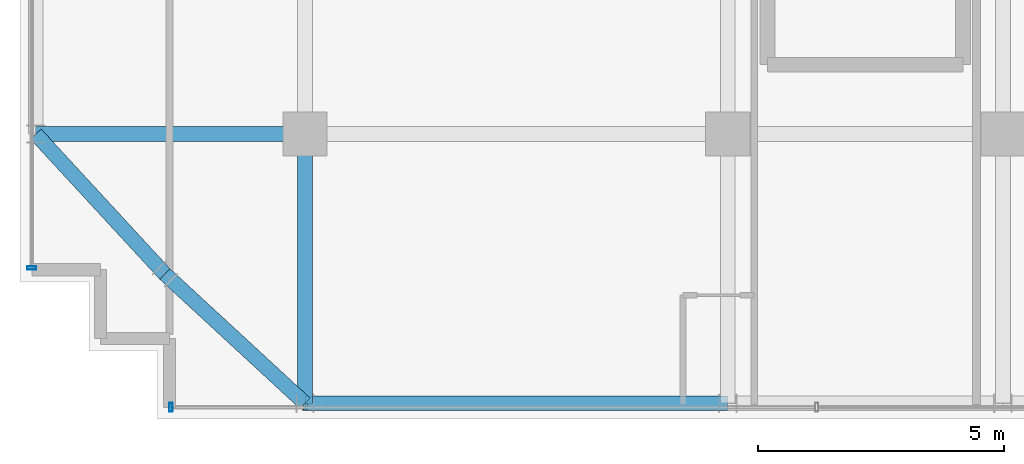
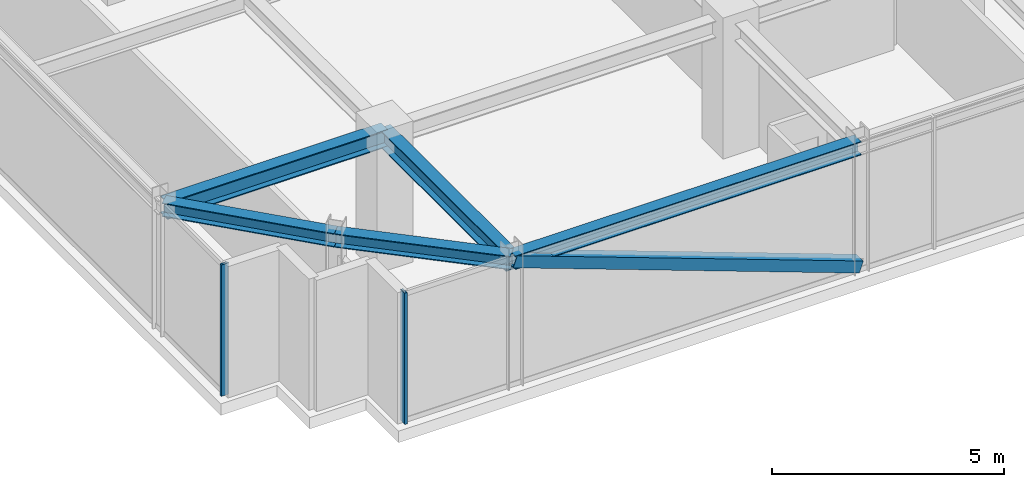
# One storey, part 4 of 31: 5 beams, 3 members, 2 elements without a shape of their own.
"""IFC4 building model written with IfcOpenShell, lengths in metres."""

from ifc_helpers import new_model, si_unit, direction, frame, origin, origin_2d, place, context, subcontext, project, spatial, hollow_rectangle, i_section, extrude, source, transform, mapped, material, material_profile, profile_set, type_object, element, aggregate, save


model = new_model("IFC4")

# Units and contexts
model_context = context("Model", 3, precision=1e-05, world=origin(), true_north=direction((0.0, 1.0)))
body_context = subcontext(model_context, "Body", "Model", "MODEL_VIEW")
ifc_project = project(units=[si_unit("LENGTHUNIT", "METRE"), si_unit("AREAUNIT", "SQUARE_METRE"), si_unit("VOLUMEUNIT", "CUBIC_METRE"), si_unit("PLANEANGLEUNIT", "RADIAN"), si_unit("MASSUNIT", "GRAM", prefix="KILO")], contexts=[model_context])

# Site, building, storey
site_placement = place(None, origin())
site = spatial("IfcSite", under=ifc_project, at=site_placement, CompositionType="ELEMENT")
building_placement = place(site_placement, origin())
building = spatial("IfcBuilding", under=site, at=building_placement, Name="Nahalor Promenade Grand Hotel", CompositionType="ELEMENT")
storey_placement = place(building_placement, frame((0.0, 0.0, 281.300048828125)))
storey = spatial("IfcBuildingStorey", under=building, at=storey_placement, Name="L72", CompositionType="ELEMENT", Elevation=281.300048828125)

# Beams
ifc_material_1 = material(Name="Steel S355JR", Category="steel")
ifc_material_profile_1 = material_profile(ifc_material_1, i_section(OverallWidth=0.3, OverallDepth=0.45, WebThickness=0.014, FlangeThickness=0.026, at=origin_2d()), Name="HEB 450")
ifc_profile_set_1 = profile_set([ifc_material_profile_1], Name="Steel S355JR")
beam_type_1 = type_object("IfcBeamType", Name="Beam-Girder-HEB450", PredefinedType="BEAM", material=ifc_profile_set_1)
shared_shape_1 = source(origin(), body_context, "Body", "SweptSolid", [
    extrude(i_section(OverallWidth=0.3, OverallDepth=0.45, WebThickness=0.014, FlangeThickness=0.026, at=origin_2d()), origin(), (0.0, 0.0, 1.0), 5.47998046875),
])
for number, where, z_axis, x_axis, name in (
    (1, (-22.47998046875, -17.0, 3.224853515625), (1.0, 0.0, 0.0), (0.0, 1.0, 0.0), "BM-L72-GX-0-0"),
    (2, (-17.0, -22.47998046875, 3.224853515625), (0.0, 1.0, 0.0), (-1.0, 0.0, 0.0), "BM-L72-GY-0-0"),
):
    element("IfcBeam", number, at=place(storey_placement, frame(where, z_axis=z_axis, x_axis=x_axis)), inside=storey, type_object=beam_type_1, Name=name, PredefinedType="BEAM", context=body_context, shape_type="MappedRepresentation", body=[
        mapped(shared_shape_1, transform((0.0, 0.0, 0.0), scale=1.0)),
    ])
ifc_material_profile_2 = material_profile(ifc_material_1, i_section(OverallWidth=0.3, OverallDepth=0.36, WebThickness=0.0125, FlangeThickness=0.0225, at=origin_2d()), Name="HEB 360")
ifc_profile_set_2 = profile_set([ifc_material_profile_2], Name="Steel S355JR")
beam_type_2 = type_object("IfcBeamType", Name="Beam-Spandrel-HEB360", PredefinedType="SPANDREL", material=ifc_profile_set_2)
shared_shape_2 = source(origin(), body_context, "Body", "SweptSolid", [
    extrude(i_section(OverallWidth=0.3, OverallDepth=0.36, WebThickness=0.0125, FlangeThickness=0.0225, at=origin_2d()), origin(), (0.0, 0.0, 1.0), 8.60009765625),
])
beam_placement = place(storey_placement, frame((-17.0, -22.47998046875, 3.27001953125), z_axis=(1.0, 0.0, 0.0), x_axis=(0.0, 1.0, 0.0)))
element("IfcBeam", 3, at=beam_placement, inside=storey, type_object=beam_type_2, Name="BM-L72-SP-S-0", PredefinedType="SPANDREL", context=body_context, shape_type="MappedRepresentation", body=[
    mapped(shared_shape_2, transform((0.0, 0.0, 0.0), scale=1.0)),
])
shared_shape_3 = source(origin(), body_context, "Body", "SweptSolid", [
    extrude(i_section(OverallWidth=0.3, OverallDepth=0.36, WebThickness=0.0125, FlangeThickness=0.0225, at=origin_2d()), origin(), (0.0, 0.0, 1.0), 3.878173828125),
])
for number, where, z_axis, x_axis, name in (
    (4, (-17.0, -22.47998046875, 3.27001953125), (-0.73492893846, 0.678144125843, 0.0), (-0.678144125843, -0.73492893846, 0.0), "BM-L72-SPC-SW-1"),
    (5, (-19.85009765625, -19.85009765625, 3.27001953125), (-0.678144125843, 0.73492893846, 0.0), (-0.73492893846, -0.678144125843, 0.0), "BM-L72-SPC-SW-2"),
):
    element("IfcBeam", number, at=place(storey_placement, frame(where, z_axis=z_axis, x_axis=x_axis)), inside=storey, type_object=beam_type_2, Name=name, PredefinedType="SPANDREL", context=body_context, shape_type="MappedRepresentation", body=[
        mapped(shared_shape_3, transform((0.0, 0.0, 0.0), scale=1.0)),
    ])

# Member
ifc_material_profile_3 = material_profile(ifc_material_1, hollow_rectangle(XDim=0.3, YDim=0.3, WallThickness=0.016, at=origin_2d()), Name="SHS 300x300x16")
ifc_profile_set_3 = profile_set([ifc_material_profile_3], Name="Steel S355JR")
member_type_1 = type_object("IfcMemberType", Name="Mem-CrownBrace-SHS300", PredefinedType="BRACE", material=ifc_profile_set_3)
shared_shape_4 = source(origin(), body_context, "Body", "SweptSolid", [
    extrude(hollow_rectangle(XDim=0.3, YDim=0.3, WallThickness=0.016, at=origin_2d()), origin(), (0.0, 0.0, 1.0), 9.158935546875),
])
member_1_placement = place(storey_placement, frame((-8.39990234375, -22.47998046875, 0.14990234375), z_axis=(-0.938989990654, 0.0, 0.343944468558), x_axis=(0.0, -1.0, 0.0)))
element("IfcMember", 6, at=member_1_placement, inside=storey, type_object=member_type_1, Name="EXO-L72-S-0", PredefinedType="BRACE", context=body_context, shape_type="MappedRepresentation", body=[
    mapped(shared_shape_4, transform((0.0, 0.0, 0.0), scale=1.0)),
])

# Curtain wall, member
ifc_material_2 = material(Name="Anodised Bronze Aluminium EN AW-6063 T6", Category="aluminium")
curtain_wall_type = type_object("IfcCurtainWallType", Name="CW2 Typical Hotel Flush Bronze Unitised Curtain Wall", PredefinedType="USERDEFINED", material=ifc_material_2)
curtain_wall_1_placement = place(storey_placement, origin())
curtain_wall_1 = element("IfcCurtainWall", 7, at=curtain_wall_1_placement, inside=storey, type_object=curtain_wall_type, Name="L72 Curtain Wall CW-L72-S-1", ObjectType="UNITISED_CURTAIN_WALL", PredefinedType="USERDEFINED")
ifc_material_profile_4 = material_profile(ifc_material_2, hollow_rectangle(XDim=0.065, YDim=0.18, WallThickness=0.004, at=origin_2d()), Name="CWM 65x180x4")
ifc_profile_set_4 = profile_set([ifc_material_profile_4], Name="Anodised Bronze Aluminium EN AW-6063 T6")
member_type_2 = type_object("IfcMemberType", Name="CWM2 Typical Bronze Mullion 65x180", PredefinedType="MULLION", material=ifc_profile_set_4)
shared_shape_5 = source(origin(), body_context, "Body", "SweptSolid", [
    extrude(hollow_rectangle(XDim=0.065, YDim=0.18, WallThickness=0.004, at=origin_2d()), origin(), (0.0, 0.0, 1.0), 3.449951171875),
])
member_2_placement = place(storey_placement, frame((-19.7275390625, -22.56005859375, 0.0), z_axis=(0.0, 0.0, 1.0), x_axis=(1.0, 0.0, 0.0)))
member_2 = element("IfcMember", 8, at=member_2_placement, type_object=member_type_2, Name="CW-L72-S-1 Mullion 0", PredefinedType="MULLION", context=body_context, shape_type="MappedRepresentation", body=[
    mapped(shared_shape_5, transform((0.0, 0.0, 0.0), scale=1.0)),
])
aggregate(curtain_wall_1, [member_2])

curtain_wall_2_placement = place(storey_placement, origin())
curtain_wall_2 = element("IfcCurtainWall", 9, at=curtain_wall_2_placement, inside=storey, type_object=curtain_wall_type, Name="L72 Curtain Wall CW-L72-W-1", ObjectType="UNITISED_CURTAIN_WALL", PredefinedType="USERDEFINED")
member_3_placement = place(storey_placement, frame((-22.56005859375, -19.7275390625, 0.0), z_axis=(0.0, 0.0, 1.0), x_axis=(0.0, 1.0, 0.0)))
member_3 = element("IfcMember", 10, at=member_3_placement, type_object=member_type_2, Name="CW-L72-W-1 Mullion 0", PredefinedType="MULLION", context=body_context, shape_type="MappedRepresentation", body=[
    mapped(shared_shape_5, transform((0.0, 0.0, 0.0), scale=1.0)),
])
aggregate(curtain_wall_2, [member_3])

save(model, "model.ifc")
